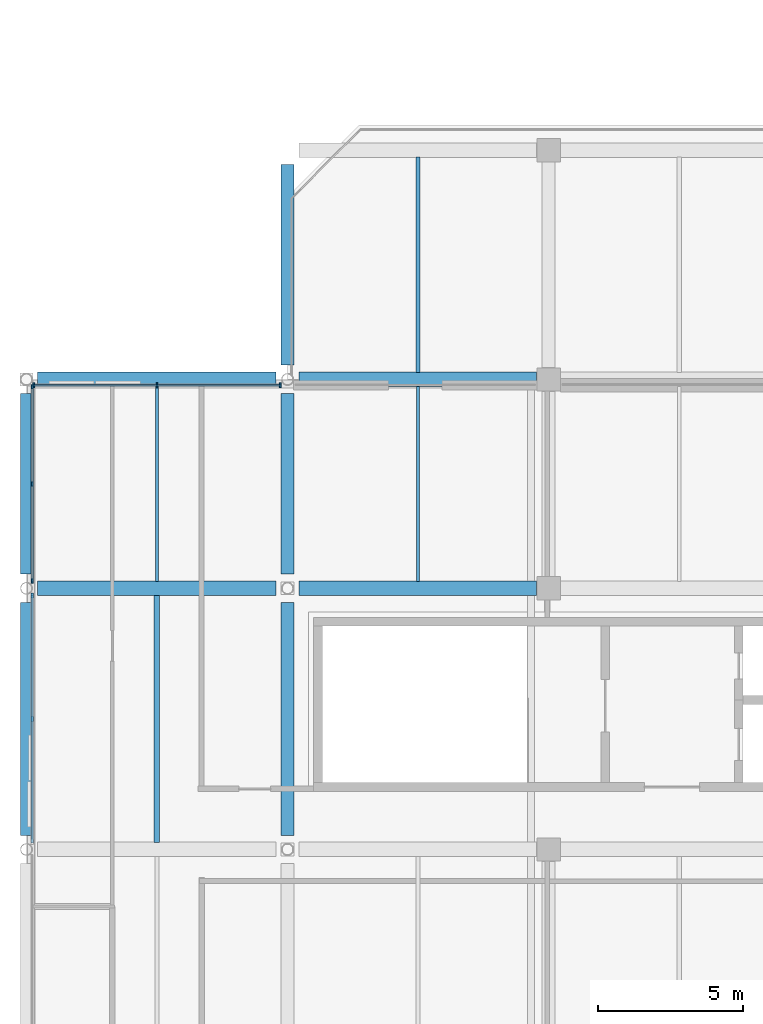
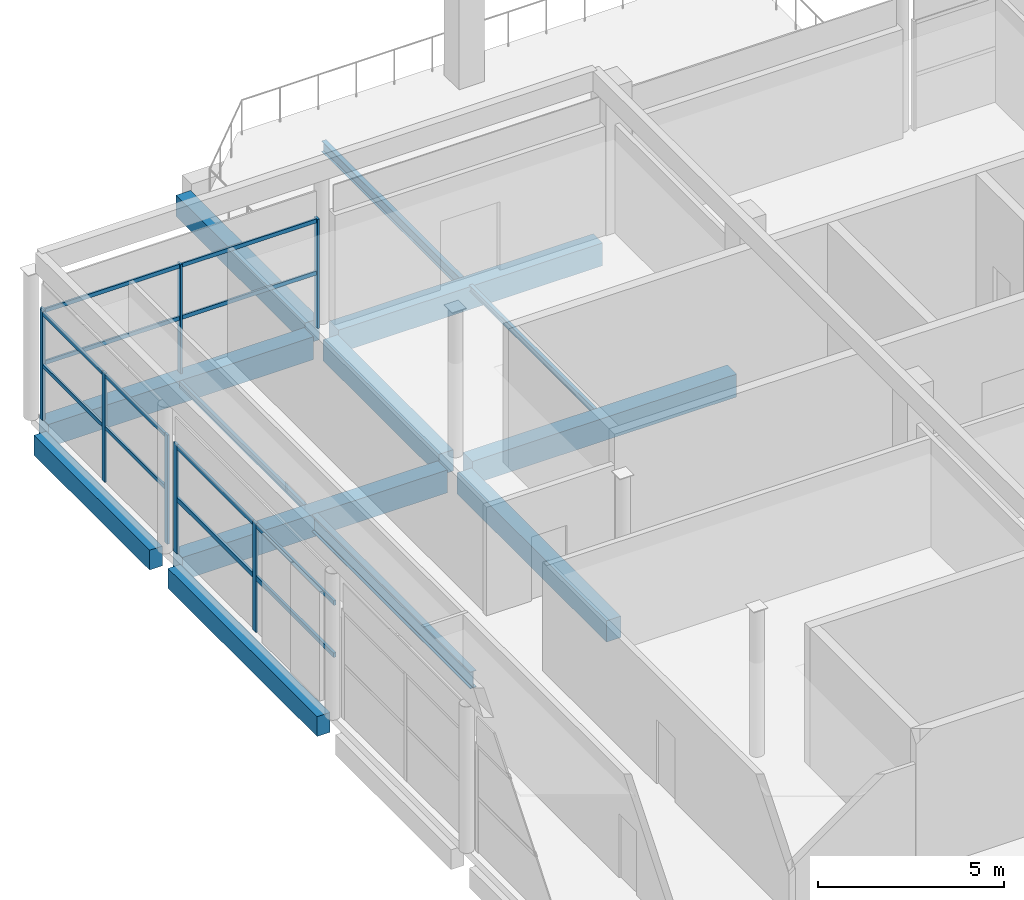
# One storey, part 28 of 114: 14 members, 13 beams, 3 elements without a shape of their own.
"""IFC4 building model written with IfcOpenShell, lengths in metres."""

from ifc_helpers import new_model, si_unit, direction, frame, origin, origin_2d, place, context, subcontext, project, spatial, rectangle, hollow_rectangle, i_section, extrude, material, material_profile, profile_set, type_object, element, aggregate, save


model = new_model("IFC4")

# Units and contexts
model_context = context("Model", 3, precision=1e-05, world=origin(), true_north=direction((0.0, 1.0)))
body_context = subcontext(model_context, "Body", "Model", "MODEL_VIEW")
ifc_project = project(units=[si_unit("LENGTHUNIT", "METRE"), si_unit("AREAUNIT", "SQUARE_METRE"), si_unit("VOLUMEUNIT", "CUBIC_METRE"), si_unit("PLANEANGLEUNIT", "RADIAN"), si_unit("MASSUNIT", "GRAM", prefix="KILO"), si_unit("THERMODYNAMICTEMPERATUREUNIT", "KELVIN"), si_unit("POWERUNIT", "WATT")], contexts=[model_context])

# Site, building, storey
site_placement = place(None, origin())
site = spatial("IfcSite", under=ifc_project, at=site_placement, CompositionType="ELEMENT")
building_placement = place(site_placement, origin())
building = spatial("IfcBuilding", under=site, at=building_placement, Name="Sindhuravela Promenade Stadium", CompositionType="ELEMENT")
storey_placement = place(building_placement, frame((0.0, 0.0, 24.0)))
storey = spatial("IfcBuildingStorey", under=building, at=storey_placement, Name="L05", CompositionType="ELEMENT", Elevation=24.0)

# Curtain wall, members
ifc_material_1 = material(Name="Anodised architectural aluminium 6063-T6", Category="aluminium")
curtain_wall_type_1 = type_object("IfcCurtainWallType", Name="CW-MOD-1", PredefinedType="NOTDEFINED", material=ifc_material_1)
curtain_wall_1_placement = place(storey_placement, origin())
curtain_wall_1 = element("IfcCurtainWall", 1, at=curtain_wall_1_placement, inside=storey, type_object=curtain_wall_type_1, Name="Bronze curtain wall CW-WEST-L05-072", PredefinedType="NOTDEFINED")
ifc_material_profile_1 = material_profile(ifc_material_1, rectangle(XDim=0.074951171875, YDim=0.175048828125, at=origin_2d()), Name="ALU MULL 75x175")
ifc_profile_set_1 = profile_set([ifc_material_profile_1], Name="Anodised architectural aluminium 6063-T6")
member_type_1 = type_object("IfcMemberType", Name="CW-MUL-1", PredefinedType="MULLION", material=ifc_profile_set_1)
member_1_placement = place(storey_placement, frame((0.199951171875, 105.300048828125, 0.0), z_axis=(0.0, 0.0, 1.0), x_axis=(1.0, 0.0, 0.0)))
member_1 = element("IfcMember", 2, at=member_1_placement, type_object=member_type_1, Name="Curtain wall mullion CW-WEST-L05-072-M2", PredefinedType="MULLION", context=body_context, shape_type="SweptSolid", body=[
    extrude(rectangle(XDim=0.074951171875, YDim=0.175048828125, at=origin_2d()), origin(), (0.0, 0.0, 1.0), 3.580078125),
])
member_2_placement = place(storey_placement, frame((0.199951171875, 109.546875, 0.0), z_axis=(0.0, 0.0, 1.0), x_axis=(1.0, 0.0, 0.0)))
member_2 = element("IfcMember", 3, at=member_2_placement, type_object=member_type_1, Name="Curtain wall mullion CW-WEST-L05-072-M3", PredefinedType="MULLION", context=body_context, shape_type="SweptSolid", body=[
    extrude(rectangle(XDim=0.074951171875, YDim=0.175048828125, at=origin_2d()), origin(), (0.0, 0.0, 1.0), 3.580078125),
])

curtain_wall_type_2 = type_object("IfcCurtainWallType", Name="CW-MOD-2", PredefinedType="NOTDEFINED", material=ifc_material_1)
curtain_wall_2_placement = place(storey_placement, origin())
curtain_wall_2 = element("IfcCurtainWall", 4, at=curtain_wall_2_placement, inside=storey, type_object=curtain_wall_type_2, Name="Bronze curtain wall CW-WEST-L05-073", PredefinedType="NOTDEFINED")
ifc_material_profile_2 = material_profile(ifc_material_1, rectangle(XDim=0.06494140625, YDim=0.14990234375, at=origin_2d()), Name="ALU MULL 65x150")
ifc_profile_set_2 = profile_set([ifc_material_profile_2], Name="Anodised architectural aluminium 6063-T6")
member_type_2 = type_object("IfcMemberType", Name="CW-MUL-2", PredefinedType="MULLION", material=ifc_profile_set_2)
member_3_placement = place(storey_placement, frame((0.199951171875, 110.05322265625, 0.0), z_axis=(0.0, 0.0, 1.0), x_axis=(1.0, 0.0, 0.0)))
member_3 = element("IfcMember", 5, at=member_3_placement, type_object=member_type_2, Name="Curtain wall mullion CW-WEST-L05-073-M1", PredefinedType="MULLION", context=body_context, shape_type="SweptSolid", body=[
    extrude(rectangle(XDim=0.06494140625, YDim=0.14990234375, at=origin_2d()), origin(), (0.0, 0.0, 1.0), 3.580078125),
])
member_4_placement = place(storey_placement, frame((0.199951171875, 113.39990234375, 0.0), z_axis=(0.0, 0.0, 1.0), x_axis=(1.0, 0.0, 0.0)))
member_4 = element("IfcMember", 6, at=member_4_placement, type_object=member_type_2, Name="Curtain wall mullion CW-WEST-L05-073-M2", PredefinedType="MULLION", context=body_context, shape_type="SweptSolid", body=[
    extrude(rectangle(XDim=0.06494140625, YDim=0.14990234375, at=origin_2d()), origin(), (0.0, 0.0, 1.0), 3.580078125),
])
member_5_placement = place(storey_placement, frame((0.199951171875, 116.746826171875, 0.0), z_axis=(0.0, 0.0, 1.0), x_axis=(1.0, 0.0, 0.0)))
member_5 = element("IfcMember", 7, at=member_5_placement, type_object=member_type_2, Name="Curtain wall mullion CW-WEST-L05-073-M3", PredefinedType="MULLION", context=body_context, shape_type="SweptSolid", body=[
    extrude(rectangle(XDim=0.06494140625, YDim=0.14990234375, at=origin_2d()), origin(), (0.0, 0.0, 1.0), 3.580078125),
])

curtain_wall_type_3 = type_object("IfcCurtainWallType", Name="CW-MOD-3", PredefinedType="NOTDEFINED", material=ifc_material_1)
curtain_wall_3_placement = place(storey_placement, origin())
curtain_wall_3 = element("IfcCurtainWall", 8, at=curtain_wall_3_placement, inside=storey, type_object=curtain_wall_type_3, Name="Bronze curtain wall CW-WEST-L05-074", PredefinedType="NOTDEFINED")
ifc_material_profile_3 = material_profile(ifc_material_1, rectangle(XDim=0.06005859375, YDim=0.179931640625, at=origin_2d()), Name="ALU M60x180")
ifc_profile_set_3 = profile_set([ifc_material_profile_3], Name="Anodised architectural aluminium 6063-T6")
member_type_3 = type_object("IfcMemberType", Name="CW-MUL-3", PredefinedType="MULLION", material=ifc_profile_set_3)
member_6_placement = place(storey_placement, frame((0.253173828125, 116.800048828125, 0.0), z_axis=(0.0, 0.0, 1.0), x_axis=(1.0, 0.0, 0.0)))
member_6 = element("IfcMember", 9, at=member_6_placement, type_object=member_type_3, Name="Curtain wall mullion CW-WEST-L05-074-M1", PredefinedType="MULLION", context=body_context, shape_type="SweptSolid", body=[
    extrude(rectangle(XDim=0.06005859375, YDim=0.179931640625, at=origin_2d()), origin(), (0.0, 0.0, 1.0), 3.580078125),
])
member_7_placement = place(storey_placement, frame((4.5, 116.800048828125, 0.0), z_axis=(0.0, 0.0, 1.0), x_axis=(1.0, 0.0, 0.0)))
member_7 = element("IfcMember", 10, at=member_7_placement, type_object=member_type_3, Name="Curtain wall mullion CW-WEST-L05-074-M2", PredefinedType="MULLION", context=body_context, shape_type="SweptSolid", body=[
    extrude(rectangle(XDim=0.06005859375, YDim=0.179931640625, at=origin_2d()), origin(), (0.0, 0.0, 1.0), 3.580078125),
])
member_8_placement = place(storey_placement, frame((8.746826171875, 116.800048828125, 0.0), z_axis=(0.0, 0.0, 1.0), x_axis=(1.0, 0.0, 0.0)))
member_8 = element("IfcMember", 11, at=member_8_placement, type_object=member_type_3, Name="Curtain wall mullion CW-WEST-L05-074-M3", PredefinedType="MULLION", context=body_context, shape_type="SweptSolid", body=[
    extrude(rectangle(XDim=0.06005859375, YDim=0.179931640625, at=origin_2d()), origin(), (0.0, 0.0, 1.0), 3.580078125),
])

# Member
ifc_material_profile_4 = material_profile(ifc_material_1, rectangle(XDim=0.074951171875, YDim=0.14990234375, at=origin_2d()), Name="ALU TRAN 75x150")
ifc_profile_set_4 = profile_set([ifc_material_profile_4], Name="Anodised architectural aluminium 6063-T6")
member_type_4 = type_object("IfcMemberType", Name="CW-TRN-1", PredefinedType="USERDEFINED", material=ifc_profile_set_4)
member_9_placement = place(storey_placement, frame((0.199951171875, 101.0283203125, 1.7900390625), z_axis=(0.0, 1.0, 0.0), x_axis=(-1.0, 0.0, 0.0)))
member_9 = element("IfcMember", 12, at=member_9_placement, type_object=member_type_4, Name="Curtain wall transom CW-WEST-L05-072-T1", ObjectType="TRANSOM", PredefinedType="USERDEFINED", context=body_context, shape_type="SweptSolid", body=[
    extrude(rectangle(XDim=0.074951171875, YDim=0.14990234375, at=origin_2d()), origin(), (0.0, 0.0, 1.0), 8.54345703125),
])

member_10_placement = place(storey_placement, frame((0.199951171875, 101.0283203125, 3.5), z_axis=(0.0, 1.0, 0.0), x_axis=(-1.0, 0.0, 0.0)))
member_10 = element("IfcMember", 13, at=member_10_placement, type_object=member_type_4, Name="Curtain wall transom CW-WEST-L05-072-T2", ObjectType="TRANSOM", PredefinedType="USERDEFINED", context=body_context, shape_type="SweptSolid", body=[
    extrude(rectangle(XDim=0.074951171875, YDim=0.14990234375, at=origin_2d()), origin(), (0.0, 0.0, 1.0), 8.54345703125),
])

aggregate(curtain_wall_1, [member_1, member_2, member_9, member_10])

ifc_material_profile_5 = material_profile(ifc_material_1, rectangle(XDim=0.06494140625, YDim=0.125, at=origin_2d()), Name="ALU TRAN 65x125")
ifc_profile_set_5 = profile_set([ifc_material_profile_5], Name="Anodised architectural aluminium 6063-T6")
member_type_5 = type_object("IfcMemberType", Name="CW-TRN-2", PredefinedType="USERDEFINED", material=ifc_profile_set_5)
member_11_placement = place(storey_placement, frame((0.199951171875, 110.0283203125, 1.7900390625), z_axis=(0.0, 1.0, 0.0), x_axis=(-1.0, 0.0, 0.0)))
member_11 = element("IfcMember", 14, at=member_11_placement, type_object=member_type_5, Name="Curtain wall transom CW-WEST-L05-073-T1", ObjectType="TRANSOM", PredefinedType="USERDEFINED", context=body_context, shape_type="SweptSolid", body=[
    extrude(rectangle(XDim=0.06494140625, YDim=0.125, at=origin_2d()), origin(), (0.0, 0.0, 1.0), 6.743408203125),
])

member_12_placement = place(storey_placement, frame((0.199951171875, 110.0283203125, 3.5), z_axis=(0.0, 1.0, 0.0), x_axis=(-1.0, 0.0, 0.0)))
member_12 = element("IfcMember", 15, at=member_12_placement, type_object=member_type_5, Name="Curtain wall transom CW-WEST-L05-073-T2", ObjectType="TRANSOM", PredefinedType="USERDEFINED", context=body_context, shape_type="SweptSolid", body=[
    extrude(rectangle(XDim=0.06494140625, YDim=0.125, at=origin_2d()), origin(), (0.0, 0.0, 1.0), 6.743408203125),
])

aggregate(curtain_wall_2, [member_3, member_4, member_5, member_11, member_12])

ifc_material_profile_6 = material_profile(ifc_material_1, rectangle(XDim=0.06005859375, YDim=0.1298828125, at=origin_2d()), Name="ALU T60x130")
ifc_profile_set_6 = profile_set([ifc_material_profile_6], Name="Anodised architectural aluminium 6063-T6")
member_type_6 = type_object("IfcMemberType", Name="CW-TRN-3", PredefinedType="USERDEFINED", material=ifc_profile_set_6)
member_13_placement = place(storey_placement, frame((0.228271484375, 116.800048828125, 1.7900390625), z_axis=(1.0, 0.0, 0.0), x_axis=(0.0, 1.0, 0.0)))
member_13 = element("IfcMember", 16, at=member_13_placement, type_object=member_type_6, Name="Curtain wall transom CW-WEST-L05-074-T1", ObjectType="TRANSOM", PredefinedType="USERDEFINED", context=body_context, shape_type="SweptSolid", body=[
    extrude(rectangle(XDim=0.06005859375, YDim=0.1298828125, at=origin_2d()), origin(), (0.0, 0.0, 1.0), 8.54345703125),
])

member_14_placement = place(storey_placement, frame((0.228271484375, 116.800048828125, 3.5), z_axis=(1.0, 0.0, 0.0), x_axis=(0.0, 1.0, 0.0)))
member_14 = element("IfcMember", 17, at=member_14_placement, type_object=member_type_6, Name="Curtain wall transom CW-WEST-L05-074-T2", ObjectType="TRANSOM", PredefinedType="USERDEFINED", context=body_context, shape_type="SweptSolid", body=[
    extrude(rectangle(XDim=0.06005859375, YDim=0.1298828125, at=origin_2d()), origin(), (0.0, 0.0, 1.0), 8.54345703125),
])

aggregate(curtain_wall_3, [member_6, member_7, member_8, member_13, member_14])

# Beams
ifc_material_2 = material(Name="Concrete M40", Category="concrete")
ifc_material_profile_7 = material_profile(ifc_material_2, rectangle(XDim=0.39990234375, YDim=0.64990234375, at=origin_2d()), Name="RC 400x650")
ifc_profile_set_7 = profile_set([ifc_material_profile_7], Name="Concrete M40")
beam_type_1 = type_object("IfcBeamType", Name="RC-BM-400x650", PredefinedType="SPANDREL", material=ifc_profile_set_7)
beam_1_placement = place(storey_placement, frame((0.0, 101.2900390625, -0.574951171875), z_axis=(0.0, 1.0, 0.0), x_axis=(-1.0, 0.0, 0.0)))
element("IfcBeam", 18, at=beam_1_placement, inside=storey, type_object=beam_type_1, Name="Primary beam SP01 WEST L05", PredefinedType="SPANDREL", context=body_context, shape_type="SweptSolid", body=[
    extrude(rectangle(XDim=0.39990234375, YDim=0.64990234375, at=origin_2d()), origin(), (0.0, 0.0, 1.0), 8.02001953125),
])
beam_2_placement = place(storey_placement, frame((0.0, 110.2900390625, -0.574951171875), z_axis=(0.0, 1.0, 0.0), x_axis=(-1.0, 0.0, 0.0)))
element("IfcBeam", 19, at=beam_2_placement, inside=storey, type_object=beam_type_1, Name="Primary beam SP01 WEST L05", PredefinedType="SPANDREL", context=body_context, shape_type="SweptSolid", body=[
    extrude(rectangle(XDim=0.39990234375, YDim=0.64990234375, at=origin_2d()), origin(), (0.0, 0.0, 1.0), 6.219970703125),
])
ifc_material_profile_8 = material_profile(ifc_material_2, rectangle(XDim=0.449951171875, YDim=0.699951171875, at=origin_2d()), Name="RC 450x700")
ifc_profile_set_8 = profile_set([ifc_material_profile_8], Name="Concrete M40")
beam_type_2 = type_object("IfcBeamType", Name="RC-BM-450x700", PredefinedType="BEAM", material=ifc_profile_set_8)
beam_3_placement = place(storey_placement, frame((9.0, 101.2900390625, -0.60009765625), z_axis=(0.0, 1.0, 0.0), x_axis=(-1.0, 0.0, 0.0)))
element("IfcBeam", 20, at=beam_3_placement, inside=storey, type_object=beam_type_2, Name="Primary beam GB07 WEST L05", PredefinedType="BEAM", context=body_context, shape_type="SweptSolid", body=[
    extrude(rectangle(XDim=0.449951171875, YDim=0.699951171875, at=origin_2d()), origin(), (0.0, 0.0, 1.0), 8.02001953125),
])
beam_4_placement = place(storey_placement, frame((9.0, 110.2900390625, -0.60009765625), z_axis=(0.0, 1.0, 0.0), x_axis=(-1.0, 0.0, 0.0)))
element("IfcBeam", 21, at=beam_4_placement, inside=storey, type_object=beam_type_2, Name="Primary beam GB07 WEST L05", PredefinedType="BEAM", context=body_context, shape_type="SweptSolid", body=[
    extrude(rectangle(XDim=0.449951171875, YDim=0.699951171875, at=origin_2d()), origin(), (0.0, 0.0, 1.0), 6.219970703125),
])
beam_5_placement = place(storey_placement, frame((9.0, 117.489990234375, -0.659912109375), z_axis=(0.0, 1.0, 0.0), x_axis=(-1.0, 0.0, 0.0)))
element("IfcBeam", 22, at=beam_5_placement, inside=storey, type_object=beam_type_2, Name="Primary beam GB07 WEST L05", PredefinedType="BEAM", context=body_context, shape_type="SweptSolid", body=[
    extrude(rectangle(XDim=0.449951171875, YDim=0.699951171875, at=origin_2d()), origin(), (0.0, 0.0, 1.0), 6.919921875),
])
ifc_material_profile_9 = material_profile(ifc_material_2, rectangle(XDim=0.5, YDim=0.75, at=origin_2d()), Name="RC 500x750")
ifc_profile_set_9 = profile_set([ifc_material_profile_9], Name="Concrete M40")
beam_type_3 = type_object("IfcBeamType", Name="RC-BM-500x750", PredefinedType="BEAM", material=ifc_profile_set_9)
beam_6_placement = place(storey_placement, frame((0.389892578125, 109.800048828125, -0.625), z_axis=(1.0, 0.0, 0.0), x_axis=(0.0, 1.0, 0.0)))
element("IfcBeam", 23, at=beam_6_placement, inside=storey, type_object=beam_type_3, Name="Primary girder GB06 WEST L05", PredefinedType="BEAM", context=body_context, shape_type="SweptSolid", body=[
    extrude(rectangle(XDim=0.5, YDim=0.75, at=origin_2d()), origin(), (0.0, 0.0, 1.0), 8.22021484375),
])
beam_7_placement = place(storey_placement, frame((9.389892578125, 109.800048828125, -0.625), z_axis=(1.0, 0.0, 0.0), x_axis=(0.0, 1.0, 0.0)))
element("IfcBeam", 24, at=beam_7_placement, inside=storey, type_object=beam_type_3, Name="Primary girder GB06 WEST L05", PredefinedType="BEAM", context=body_context, shape_type="SweptSolid", body=[
    extrude(rectangle(XDim=0.5, YDim=0.75, at=origin_2d()), origin(), (0.0, 0.0, 1.0), 8.195068359375),
])
beam_8_placement = place(storey_placement, frame((0.389892578125, 117.0, -0.625), z_axis=(1.0, 0.0, 0.0), x_axis=(0.0, 1.0, 0.0)))
element("IfcBeam", 25, at=beam_8_placement, inside=storey, type_object=beam_type_3, Name="Primary girder GB06 WEST L05", PredefinedType="BEAM", context=body_context, shape_type="SweptSolid", body=[
    extrude(rectangle(XDim=0.5, YDim=0.75, at=origin_2d()), origin(), (0.0, 0.0, 1.0), 8.22021484375),
])
beam_9_placement = place(storey_placement, frame((9.389892578125, 117.0, -0.68505859375), z_axis=(1.0, 0.0, 0.0), x_axis=(0.0, 1.0, 0.0)))
element("IfcBeam", 26, at=beam_9_placement, inside=storey, type_object=beam_type_3, Name="Primary girder GB06 WEST L05", PredefinedType="BEAM", context=body_context, shape_type="SweptSolid", body=[
    extrude(rectangle(XDim=0.5, YDim=0.75, at=origin_2d()), origin(), (0.0, 0.0, 1.0), 8.195068359375),
])
ifc_material_3 = material(Name="Steel E350 (IS 2062 E350BR)", Category="steel")
ifc_material_profile_10 = material_profile(ifc_material_3, hollow_rectangle(XDim=0.10009765625, YDim=0.199951171875, WallThickness=0.008056640625, at=origin_2d()), Name="RHS 200x100x8")
ifc_profile_set_10 = profile_set([ifc_material_profile_10], Name="Steel E350 (IS 2062 E350BR)")
beam_type_4 = type_object("IfcBeamType", Name="ST-BM-LNT200", PredefinedType="LINTEL", material=ifc_profile_set_10)
beam_10_placement = place(storey_placement, frame((4.5, 110.0400390625, -0.35009765625), z_axis=(0.0, 1.0, 0.0), x_axis=(-1.0, 0.0, 0.0)))
element("IfcBeam", 27, at=beam_10_placement, inside=storey, type_object=beam_type_4, Name="Secondary floor joist LN01 WEST L05", PredefinedType="LINTEL", context=body_context, shape_type="SweptSolid", body=[
    extrude(hollow_rectangle(XDim=0.10009765625, YDim=0.199951171875, WallThickness=0.008056640625, at=origin_2d()), origin(), (0.0, 0.0, 1.0), 6.719970703125),
])
ifc_material_profile_11 = material_profile(ifc_material_3, i_section(OverallWidth=0.10009765625, OverallDepth=0.199951171875, WebThickness=0.005615234375, FlangeThickness=0.0107421875, FilletRadius=0.010986328125, at=origin_2d()), Name="ISMB 200")
ifc_profile_set_11 = profile_set([ifc_material_profile_11], Name="Steel E350 (IS 2062 E350BR)")
beam_type_5 = type_object("IfcBeamType", Name="ST-BM-MB200", PredefinedType="JOIST", material=ifc_profile_set_11)
beam_11_placement = place(storey_placement, frame((13.5, 110.0400390625, -0.35009765625), z_axis=(0.0, 1.0, 0.0), x_axis=(-1.0, 0.0, 0.0)))
element("IfcBeam", 28, at=beam_11_placement, inside=storey, type_object=beam_type_5, Name="Secondary floor joist SB01 WEST L05", PredefinedType="JOIST", context=body_context, shape_type="SweptSolid", body=[
    extrude(i_section(OverallWidth=0.10009765625, OverallDepth=0.199951171875, WebThickness=0.005615234375, FlangeThickness=0.0107421875, FilletRadius=0.010986328125, at=origin_2d()), origin(), (0.0, 0.0, 1.0), 6.719970703125),
])
ifc_material_profile_12 = material_profile(ifc_material_3, i_section(OverallWidth=0.139892578125, OverallDepth=0.35009765625, WebThickness=0.008056640625, FlangeThickness=0.01416015625, FilletRadius=0.013916015625, at=origin_2d()), Name="ISMB 350")
ifc_profile_set_12 = profile_set([ifc_material_profile_12], Name="Steel E350 (IS 2062 E350BR)")
beam_type_6 = type_object("IfcBeamType", Name="ST-BM-MB350", PredefinedType="JOIST", material=ifc_profile_set_12)
beam_12_placement = place(storey_placement, frame((13.5, 117.239990234375, -0.485107421875), z_axis=(0.0, 1.0, 0.0), x_axis=(-1.0, 0.0, 0.0)))
element("IfcBeam", 29, at=beam_12_placement, inside=storey, type_object=beam_type_6, Name="Secondary floor joist SB04 WEST L05", PredefinedType="JOIST", context=body_context, shape_type="SweptSolid", body=[
    extrude(i_section(OverallWidth=0.139892578125, OverallDepth=0.35009765625, WebThickness=0.008056640625, FlangeThickness=0.01416015625, FilletRadius=0.013916015625, at=origin_2d()), origin(), (0.0, 0.0, 1.0), 7.419921875),
])
ifc_material_profile_13 = material_profile(ifc_material_3, i_section(OverallWidth=0.18994140625, OverallDepth=0.550048828125, WebThickness=0.01123046875, FlangeThickness=0.019287109375, FilletRadius=0.01806640625, at=origin_2d()), Name="ISMB 550")
ifc_profile_set_13 = profile_set([ifc_material_profile_13], Name="Steel E350 (IS 2062 E350BR)")
beam_type_7 = type_object("IfcBeamType", Name="ST-BM-MB550", PredefinedType="SPANDREL", material=ifc_profile_set_13)
beam_13_placement = place(storey_placement, frame((4.5, 101.0400390625, -0.52490234375), z_axis=(0.0, 1.0, 0.0), x_axis=(-1.0, 0.0, 0.0)))
element("IfcBeam", 30, at=beam_13_placement, inside=storey, type_object=beam_type_7, Name="Secondary floor joist SB08 WEST L05", PredefinedType="SPANDREL", context=body_context, shape_type="SweptSolid", body=[
    extrude(i_section(OverallWidth=0.18994140625, OverallDepth=0.550048828125, WebThickness=0.01123046875, FlangeThickness=0.019287109375, FilletRadius=0.01806640625, at=origin_2d()), origin(), (0.0, 0.0, 1.0), 8.52001953125),
])

save(model, "model.ifc")
